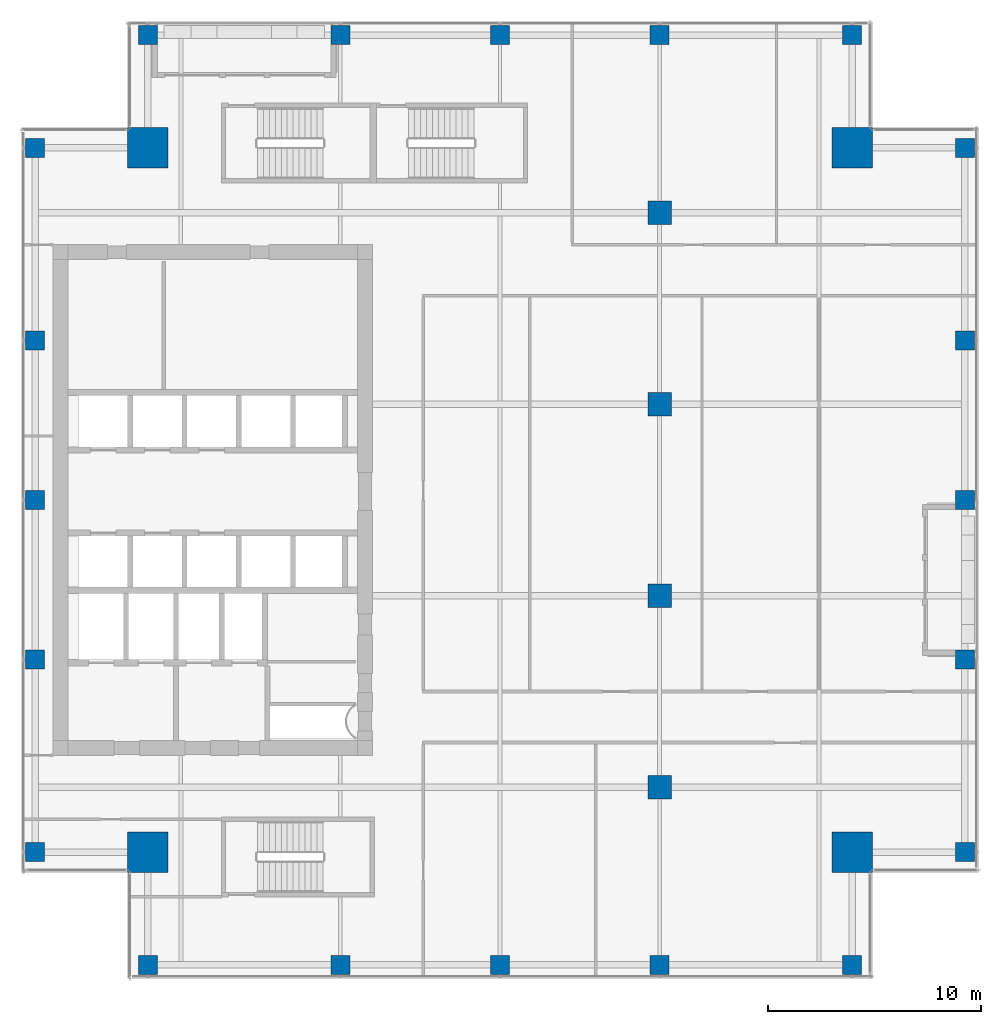
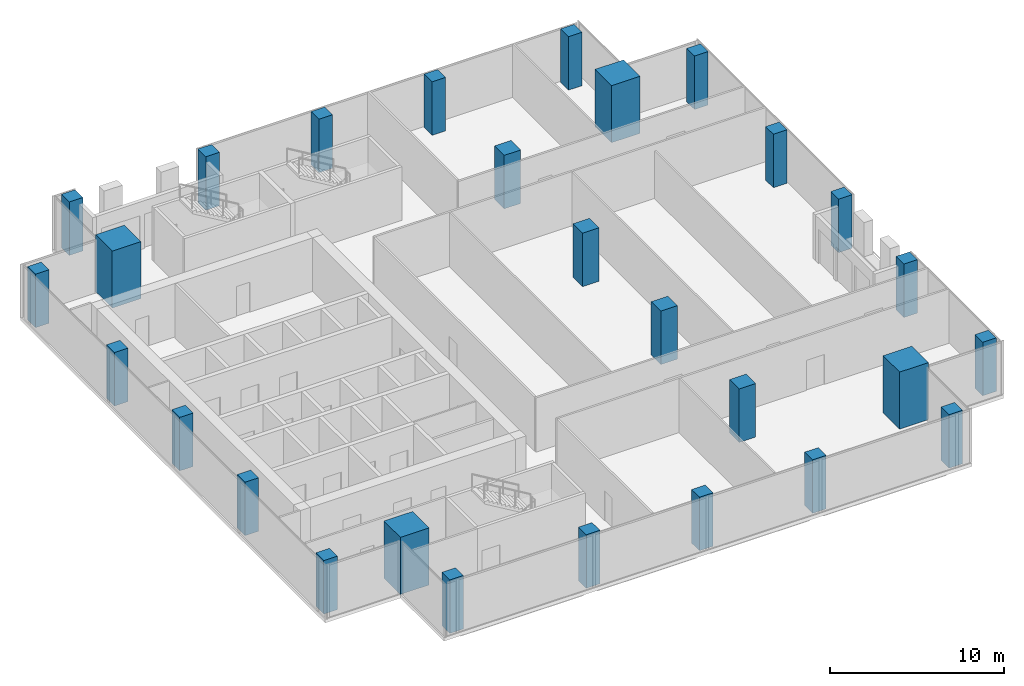
# One storey, part 1 of 35: 28 columns.
"""IFC4 building model written with IfcOpenShell, lengths in metres."""

from ifc_helpers import new_model, si_unit, direction, frame, origin, origin_2d, place, context, subcontext, project, spatial, rectangle, extrude, source, transform, mapped, material, material_profile, profile_set, type_object, element, save


model = new_model("IFC4")

# Units and contexts
model_context = context("Model", 3, precision=1e-05, world=origin(), true_north=direction((0.0, 1.0)))
body_context = subcontext(model_context, "Body", "Model", "MODEL_VIEW")
ifc_project = project(units=[si_unit("LENGTHUNIT", "METRE"), si_unit("AREAUNIT", "SQUARE_METRE"), si_unit("VOLUMEUNIT", "CUBIC_METRE"), si_unit("PLANEANGLEUNIT", "RADIAN"), si_unit("MASSUNIT", "GRAM", prefix="KILO")], contexts=[model_context])

# Site, building, storey
site_placement = place(None, origin())
site = spatial("IfcSite", under=ifc_project, at=site_placement, CompositionType="ELEMENT")
building_placement = place(site_placement, origin())
building = spatial("IfcBuilding", under=site, at=building_placement, Name="Khomas Fold Tower", CompositionType="ELEMENT")
storey_placement = place(building_placement, frame((0.0, 0.0, 262.199951171875)))
storey = spatial("IfcBuildingStorey", under=building, at=storey_placement, Name="L59", CompositionType="ELEMENT", Elevation=262.199951171875)

# Columns
ifc_material_1 = material(Name="Concrete C60/75", Category="concrete")
ifc_material_profile_1 = material_profile(ifc_material_1, rectangle(XDim=1.89990234375, YDim=1.89990234375, at=origin_2d()), Name="RC 1900x1900")
ifc_profile_set_1 = profile_set([ifc_material_profile_1], Name="Concrete C60/75")
column_type_1 = type_object("IfcColumnType", Name="RC 1900x1900 column", PredefinedType="COLUMN", material=ifc_profile_set_1)
shared_shape_1 = source(origin(), body_context, "Body", "SweptSolid", [
    extrude(rectangle(XDim=1.89990234375, YDim=1.89990234375, at=origin_2d()), origin(), (0.0, 0.0, 1.0), 4.0),
])
for number, where, z_axis, x_axis, name in (
    (1, (43.550048828125, 43.550048828125, 0.0), (0.0, 0.0, 1.0), (1.0, 0.0, 0.0), "CM-NE"),
    (2, (10.449951171875, 43.550048828125, 0.0), (0.0, 0.0, 1.0), (1.0, 0.0, 0.0), "CM-NW"),
    (3, (43.550048828125, 10.449951171875, 0.0), (0.0, 0.0, 1.0), (1.0, 0.0, 0.0), "CM-SE"),
    (4, (10.449951171875, 10.449951171875, 0.0), (0.0, 0.0, 1.0), (1.0, 0.0, 0.0), "CM-SW"),
):
    element("IfcColumn", number, at=place(storey_placement, frame(where, z_axis=z_axis, x_axis=x_axis)), inside=storey, type_object=column_type_1, Name=name, PredefinedType="COLUMN", context=body_context, shape_type="MappedRepresentation", body=[
        mapped(shared_shape_1, transform((0.0, 0.0, 0.0))),
    ])
ifc_material_2 = material(Name="Concrete C50/60", Category="concrete")
ifc_material_profile_2 = material_profile(ifc_material_2, rectangle(XDim=0.89990234375, YDim=0.89990234375, at=origin_2d()), Name="RC 900x900")
ifc_profile_set_2 = profile_set([ifc_material_profile_2], Name="Concrete C50/60")
column_type_2 = type_object("IfcColumnType", Name="RC 900x900 column", PredefinedType="COLUMN", material=ifc_profile_set_2)
shared_shape_2 = source(origin(), body_context, "Body", "SweptSolid", [
    extrude(rectangle(XDim=0.89990234375, YDim=0.89990234375, at=origin_2d()), origin(), (0.0, 0.0, 1.0), 3.75),
])
for number, where, z_axis, x_axis, name in (
    (5, (10.449951171875, 5.14990234375, 0.0), (0.0, 0.0, 1.0), (1.0, 0.0, 0.0), "C-5-SF4"),
    (6, (19.5, 5.14990234375, 0.0), (0.0, 0.0, 1.0), (1.0, 0.0, 0.0), "C-8-SF4"),
    (7, (27.0, 5.14990234375, 0.0), (0.0, 0.0, 1.0), (1.0, 0.0, 0.0), "C-9-SF4"),
    (8, (34.5, 5.14990234375, 0.0), (0.0, 0.0, 1.0), (1.0, 0.0, 0.0), "C-10-SF4"),
    (9, (43.550048828125, 5.14990234375, 0.0), (0.0, 0.0, 1.0), (1.0, 0.0, 0.0), "C-14-SF4"),
    (10, (48.85009765625, 10.449951171875, 0.0), (0.0, 0.0, 1.0), (1.0, 0.0, 0.0), "C-E4-E"),
    (11, (48.85009765625, 19.5, 0.0), (0.0, 0.0, 1.0), (1.0, 0.0, 0.0), "C-E4-J"),
    (12, (48.85009765625, 27.0, 0.0), (0.0, 0.0, 1.0), (1.0, 0.0, 0.0), "C-E4-L"),
    (13, (48.85009765625, 34.5, 0.0), (0.0, 0.0, 1.0), (1.0, 0.0, 0.0), "C-E4-N"),
    (14, (48.85009765625, 43.550048828125, 0.0), (0.0, 0.0, 1.0), (1.0, 0.0, 0.0), "C-E4-S"),
    (15, (10.449951171875, 48.85009765625, 0.0), (0.0, 0.0, 1.0), (1.0, 0.0, 0.0), "C-5-NF4"),
    (16, (19.5, 48.85009765625, 0.0), (0.0, 0.0, 1.0), (1.0, 0.0, 0.0), "C-8-NF4"),
    (17, (27.0, 48.85009765625, 0.0), (0.0, 0.0, 1.0), (1.0, 0.0, 0.0), "C-9-NF4"),
    (18, (34.5, 48.85009765625, 0.0), (0.0, 0.0, 1.0), (1.0, 0.0, 0.0), "C-10-NF4"),
    (19, (43.550048828125, 48.85009765625, 0.0), (0.0, 0.0, 1.0), (1.0, 0.0, 0.0), "C-14-NF4"),
    (20, (5.14990234375, 10.449951171875, 0.0), (0.0, 0.0, 1.0), (1.0, 0.0, 0.0), "C-W4-E"),
    (21, (5.14990234375, 19.5, 0.0), (0.0, 0.0, 1.0), (1.0, 0.0, 0.0), "C-W4-J"),
    (22, (5.14990234375, 27.0, 0.0), (0.0, 0.0, 1.0), (1.0, 0.0, 0.0), "C-W4-L"),
    (23, (5.14990234375, 34.5, 0.0), (0.0, 0.0, 1.0), (1.0, 0.0, 0.0), "C-W4-N"),
    (24, (5.14990234375, 43.550048828125, 0.0), (0.0, 0.0, 1.0), (1.0, 0.0, 0.0), "C-W4-S"),
):
    element("IfcColumn", number, at=place(storey_placement, frame(where, z_axis=z_axis, x_axis=x_axis)), inside=storey, type_object=column_type_2, Name=name, PredefinedType="COLUMN", context=body_context, shape_type="MappedRepresentation", body=[
        mapped(shared_shape_2, transform((0.0, 0.0, 0.0))),
    ])
ifc_material_3 = material(Name="Concrete C50/60", Category="concrete")
ifc_material_profile_3 = material_profile(ifc_material_3, rectangle(XDim=1.10009765625, YDim=1.10009765625, at=origin_2d()), Name="RC 1100x1100")
ifc_profile_set_3 = profile_set([ifc_material_profile_3], Name="Concrete C50/60")
column_type_3 = type_object("IfcColumnType", Name="RC 1100x1100 column", PredefinedType="COLUMN", material=ifc_profile_set_3)
shared_shape_3 = source(origin(), body_context, "Body", "SweptSolid", [
    extrude(rectangle(XDim=1.10009765625, YDim=1.10009765625, at=origin_2d()), origin(), (0.0, 0.0, 1.0), 3.75),
])
for number, where, z_axis, x_axis, name in (
    (25, (34.5, 13.5, 0.0), (0.0, 0.0, 1.0), (1.0, 0.0, 0.0), "C-10-H"),
    (26, (34.5, 22.5, 0.0), (0.0, 0.0, 1.0), (1.0, 0.0, 0.0), "C-10-K"),
    (27, (34.5, 31.5, 0.0), (0.0, 0.0, 1.0), (1.0, 0.0, 0.0), "C-10-M"),
    (28, (34.5, 40.5, 0.0), (0.0, 0.0, 1.0), (1.0, 0.0, 0.0), "C-10-P"),
):
    element("IfcColumn", number, at=place(storey_placement, frame(where, z_axis=z_axis, x_axis=x_axis)), inside=storey, type_object=column_type_3, Name=name, PredefinedType="COLUMN", context=body_context, shape_type="MappedRepresentation", body=[
        mapped(shared_shape_3, transform((0.0, 0.0, 0.0))),
    ])

save(model, "model.ifc")
